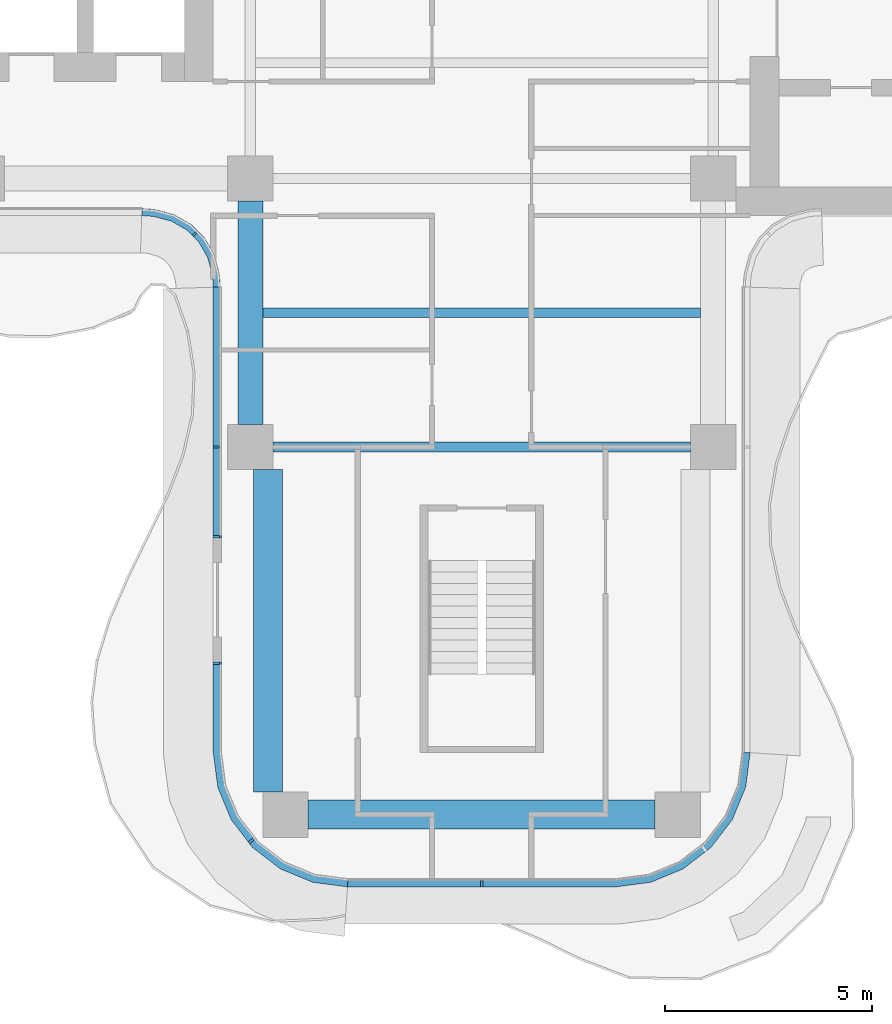
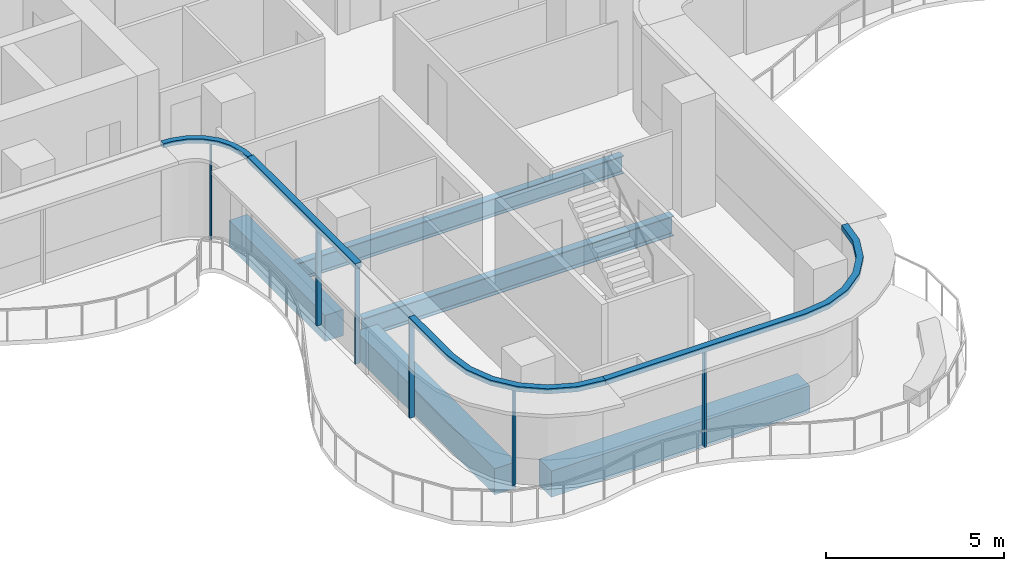
# One storey, part 2 of 16: 10 members, 5 beams, 4 elements without a shape of their own.
"""IFC4 building model written with IfcOpenShell, lengths in metres."""

import ifcopenshell
import ifcopenshell.guid

model = None  # the IFC model being written
_history = None  # IfcOwnerHistory: only IFC2X3 demands one
_inside = {}  # id of a spatial element -> (the spatial element, [elements in it])
_under = {}  # id of a project, library or spatial element -> (it, [spatial elements below it])
_declared = {}  # id of a project -> (the project, [libraries it declares])
_typed = {}  # id of a type object -> (the type object, [elements of that type])
_made_of = {}  # id of a material, layer set ... -> (it, [elements and type objects made of it])


def new_model(schema):
    """Start an empty IFC model of exactly this schema.

    Asked for "IFC4X3", IfcOpenShell would pick the latest addendum, in which some entities
    have other attributes; the version numbers below select the first issue.
    IFC2X3 requires an IfcOwnerHistory on every rooted entity: one is made here for all.
    """
    global model, _history
    if schema == "IFC4X3":
        model = ifcopenshell.file(schema_version=(4, 3, 0, 0))
    else:
        model = ifcopenshell.file(schema=schema)
    _inside.clear()
    _under.clear()
    _declared.clear()
    _typed.clear()
    _made_of.clear()
    _history = None
    if model.schema == "IFC2X3":
        org = make("IfcOrganization", Name="unknown")
        user = make(
            "IfcPersonAndOrganization",
            ThePerson=make("IfcPerson", FamilyName="unknown"),
            TheOrganization=org,
        )
        app = make(
            "IfcApplication",
            ApplicationDeveloper=org,
            Version="unknown",
            ApplicationFullName="unknown",
            ApplicationIdentifier="unknown",
        )
        _history = make(
            "IfcOwnerHistory",
            OwningUser=user,
            OwningApplication=app,
            ChangeAction="ADDED",
            CreationDate=0,
        )
    return model


def make(cls, **values):
    """One entity of the class cls with the attributes given. An attribute that is None is left unset."""
    return model.create_entity(
        cls, **{name: value for name, value in values.items() if value is not None}
    )


def rooted(cls, **values):
    """An entity with a GlobalId (a new one), such as an element, a storey or a relation."""
    return make(cls, GlobalId=ifcopenshell.guid.new(), OwnerHistory=_history, **values)


def si_unit(unit_type, name, prefix=None):
    """IfcSIUnit, for example si_unit("LENGTHUNIT", "METRE", prefix="MILLI")."""
    return make("IfcSIUnit", UnitType=unit_type, Prefix=prefix, Name=name)


def assignment(units):
    """IfcUnitAssignment: the units of a project."""
    return None if units is None else make("IfcUnitAssignment", Units=units)


def point(xyz):
    """IfcCartesianPoint."""
    return None if xyz is None else make("IfcCartesianPoint", Coordinates=xyz)


def direction(xyz):
    """IfcDirection."""
    return None if xyz is None else make("IfcDirection", DirectionRatios=xyz)


def frame(location, z_axis=None, x_axis=None):
    """IfcAxis2Placement3D, a coordinate frame: its origin and axes. An axis left out is left unset."""
    return make(
        "IfcAxis2Placement3D",
        Location=point(location),
        Axis=direction(z_axis),
        RefDirection=direction(x_axis),
    )


def frame_2d(location, x_axis=None):
    """IfcAxis2Placement2D, a coordinate frame in the plane: its origin and x axis."""
    return make(
        "IfcAxis2Placement2D", Location=point(location), RefDirection=direction(x_axis)
    )


def origin():
    """The frame at (0, 0, 0) with its axes left unset."""
    return frame((0.0, 0.0, 0.0))


def origin_2d():
    """The frame at (0, 0) in the plane with its x axis left unset."""
    return frame_2d((0.0, 0.0))


def place(relative_to, where):
    """IfcLocalPlacement: puts the frame where relative to a parent placement (None: the world)."""
    return make(
        "IfcLocalPlacement", PlacementRelTo=relative_to, RelativePlacement=where
    )


def context(
    kind, dimensions, precision=None, world=None, true_north=None, identifier=None
):
    """IfcGeometricRepresentationContext, for example the 3D "Model" context."""
    return make(
        "IfcGeometricRepresentationContext",
        ContextIdentifier=identifier,
        ContextType=kind,
        CoordinateSpaceDimension=dimensions,
        Precision=precision,
        WorldCoordinateSystem=world,
        TrueNorth=true_north,
    )


def subcontext(parent, identifier, kind, view, scale=None):
    """IfcGeometricRepresentationSubContext, for example "Body" below "Model"."""
    return make(
        "IfcGeometricRepresentationSubContext",
        ContextIdentifier=identifier,
        ContextType=kind,
        ParentContext=parent,
        TargetScale=scale,
        TargetView=view,
    )


def project(units=None, contexts=None):
    """IfcProject with its units and contexts."""
    return rooted(
        "IfcProject",
        Name="project",
        RepresentationContexts=contexts,
        UnitsInContext=assignment(units),
    )


def spatial(cls, under=None, at=None, **own):
    """A site, building, storey or space (cls), placed at a placement, below another one or the project."""
    s = rooted(cls, ObjectPlacement=at, **own)
    if under is not None:
        _under.setdefault(under.id(), (under, []))[1].append(s)
    return s


def polyline(points):
    """IfcPolyline through the points."""
    return make("IfcPolyline", Points=[point(p) for p in points])


def profile(cls, at=None, kind="AREA", **sizes):
    """A parametric profile (cls). Its sizes go by their IFC names, for example OverallWidth=200.0."""
    return make(cls, ProfileType=kind, Position=at, **sizes)


def rectangle(**sizes):
    """IfcRectangleProfileDef."""
    return profile("IfcRectangleProfileDef", **sizes)


def i_section(**sizes):
    """IfcIShapeProfileDef."""
    return profile("IfcIShapeProfileDef", **sizes)


def outline(outer, holes=None, kind="AREA"):
    """IfcArbitraryClosedProfileDef: a profile drawn as a closed curve; with holes, ...WithVoids."""
    if holes is None:
        return make("IfcArbitraryClosedProfileDef", ProfileType=kind, OuterCurve=outer)
    return make(
        "IfcArbitraryProfileDefWithVoids",
        ProfileType=kind,
        OuterCurve=outer,
        InnerCurves=holes,
    )


def extrude(swept, where, along, depth):
    """IfcExtrudedAreaSolid: the profile swept, set in the frame where, extruded along a direction by depth."""
    return make(
        "IfcExtrudedAreaSolid",
        SweptArea=swept,
        Position=where,
        ExtrudedDirection=direction(along),
        Depth=depth,
    )


def shape(context_of_items, identifier, shape_type, items):
    """IfcShapeRepresentation: the items that make up one representation, for example the "Body"."""
    return make(
        "IfcShapeRepresentation",
        ContextOfItems=context_of_items,
        RepresentationIdentifier=identifier,
        RepresentationType=shape_type,
        Items=items,
    )


def source(mapping_origin, context_of_items, identifier, shape_type, items):
    """IfcRepresentationMap: a shape defined once, which mapped items show again and again."""
    return make(
        "IfcRepresentationMap",
        MappingOrigin=mapping_origin,
        MappedRepresentation=shape(context_of_items, identifier, shape_type, items),
    )


def transform(
    local_origin,
    x_axis=None,
    y_axis=None,
    z_axis=None,
    scale=None,
    scale2=None,
    scale3=None,
    uniform=True,
):
    """IfcCartesianTransformationOperator3D, or its non-uniform kind. x_axis, y_axis, z_axis: its Axis1, 2, 3."""
    if uniform:
        return make(
            "IfcCartesianTransformationOperator3D",
            Axis1=direction(x_axis),
            Axis2=direction(y_axis),
            LocalOrigin=point(local_origin),
            Scale=scale,
            Axis3=direction(z_axis),
        )
    return make(
        "IfcCartesianTransformationOperator3DnonUniform",
        Axis1=direction(x_axis),
        Axis2=direction(y_axis),
        LocalOrigin=point(local_origin),
        Scale=scale,
        Axis3=direction(z_axis),
        Scale2=scale2,
        Scale3=scale3,
    )


def mapped(mapping_source, mapping_target):
    """IfcMappedItem: shows the shape of a source again, moved by a transform."""
    return make(
        "IfcMappedItem", MappingSource=mapping_source, MappingTarget=mapping_target
    )


def material(Name=None, Category=None):
    """IfcMaterial."""
    return make("IfcMaterial", Name=Name, Category=Category)


def layer(
    of_material, thickness, ventilated=None, Name=None, Category=None, Priority=None
):
    """IfcMaterialLayer: one layer of a wall or slab, of a material (None: an air gap)."""
    return make(
        "IfcMaterialLayer",
        Material=of_material,
        LayerThickness=thickness,
        IsVentilated=ventilated,
        Name=Name,
        Category=Category,
        Priority=Priority,
    )


def layer_set(layers, Name=None):
    """IfcMaterialLayerSet."""
    return make("IfcMaterialLayerSet", MaterialLayers=layers, LayerSetName=Name)


def material_profile(
    of_material, cross_section, Name=None, Category=None, Priority=None
):
    """IfcMaterialProfile: a cross section and its material."""
    return make(
        "IfcMaterialProfile",
        Name=Name,
        Material=of_material,
        Profile=cross_section,
        Priority=Priority,
        Category=Category,
    )


def profile_set(profiles, Name=None, composite=None):
    """IfcMaterialProfileSet."""
    return make(
        "IfcMaterialProfileSet",
        Name=Name,
        MaterialProfiles=profiles,
        CompositeProfile=composite,
    )


def made_of(thing, what):
    """Note that an element or type object is made of a material, layer set ...; save() writes the relation."""
    if what is not None:
        _made_of.setdefault(what.id(), (what, []))[1].append(thing)
    return thing


def type_object(cls, material=None, **own):
    """A type object (cls), such as IfcWallType, which elements share."""
    return made_of(rooted(cls, **own), material)


def element(
    cls,
    number,
    at=None,
    inside=None,
    cuts=None,
    type_object=None,
    material=None,
    context=None,
    identifier="Body",
    shape_type=None,
    held_by="IfcProductDefinitionShape",
    body=None,
    shapes=None,
    **own,
):
    """One element of the class cls, such as IfcWall. Its Tag is "e" and its number.

    at: its placement. inside: the storey or other place that contains it. cuts: it is an
    opening in that element (IfcRelVoidsElement). A single representation is given by context,
    identifier, shape_type and body (its items); several are given by shapes. held_by: the class
    of the entity that holds the representations. save() writes the other relations.
    """
    e = rooted(cls, Tag="e%d" % number, ObjectPlacement=at, **own)
    if body is not None:
        shapes = [shape(context, identifier, shape_type, body)]
    if shapes is not None:
        e.Representation = make(held_by, Representations=shapes)
    if inside is not None:
        _inside.setdefault(inside.id(), (inside, []))[1].append(e)
    if cuts is not None:
        rooted(
            "IfcRelVoidsElement", RelatingBuildingElement=cuts, RelatedOpeningElement=e
        )
    if type_object is not None:
        _typed.setdefault(type_object.id(), (type_object, []))[1].append(e)
    return made_of(e, material)


def aggregate(whole, parts):
    """IfcRelAggregates: a whole, such as a stair, and the parts it consists of."""
    return rooted("IfcRelAggregates", RelatingObject=whole, RelatedObjects=parts)


def save(model, path):
    """Write the relations noted so far, then the file.

    IfcRelAggregates (storeys below a building ...), IfcRelContainedInSpatialStructure (elements
    in a storey), IfcRelDefinesByType, IfcRelAssociatesMaterial and IfcRelDeclares: one each for
    every whole, place, type object, material and project.
    """
    for whole, parts in _under.values():
        aggregate(whole, parts)
    for where, things in _inside.values():
        rooted(
            "IfcRelContainedInSpatialStructure",
            RelatedElements=things,
            RelatingStructure=where,
        )
    for kind, things in _typed.values():
        rooted("IfcRelDefinesByType", RelatedObjects=things, RelatingType=kind)
    for what, things in _made_of.values():
        rooted("IfcRelAssociatesMaterial", RelatedObjects=things, RelatingMaterial=what)
    for by, libraries in _declared.values():
        rooted("IfcRelDeclares", RelatingContext=by, RelatedDefinitions=libraries)
    model.write(path)


model = new_model("IFC4")

# Units and contexts
model_context = context("Model", 3, precision=1e-05, world=origin(), true_north=direction((0.0, 1.0)))
body_context = subcontext(model_context, "Body", "Model", "MODEL_VIEW")
ifc_project = project(units=[si_unit("LENGTHUNIT", "METRE"), si_unit("AREAUNIT", "SQUARE_METRE"), si_unit("VOLUMEUNIT", "CUBIC_METRE"), si_unit("PLANEANGLEUNIT", "RADIAN"), si_unit("MASSUNIT", "GRAM", prefix="KILO")], contexts=[model_context])

# Site, building, storey
site_placement = place(None, origin())
site = spatial("IfcSite", under=ifc_project, at=site_placement, CompositionType="ELEMENT")
building_placement = place(site_placement, origin())
building = spatial("IfcBuilding", under=site, at=building_placement, Name="Trellis Farm Tower", CompositionType="ELEMENT")
storey_placement = place(building_placement, frame((0.0, 0.0, 267.5)))
storey = spatial("IfcBuildingStorey", under=building, at=storey_placement, Name="L60", CompositionType="ELEMENT", Elevation=267.5)

# Beams
ifc_material_1 = material(Name="Steel S355", Category="steel")
ifc_material_profile_1 = material_profile(ifc_material_1, i_section(OverallWidth=0.22900390625, OverallDepth=0.6123046875, WebThickness=0.011962890625, FlangeThickness=0.01953125, FilletRadius=0.0126953125, at=origin_2d()), Name="UB 610x229x125")
ifc_profile_set_1 = profile_set([ifc_material_profile_1], Name="Steel S355")
beam_type_1 = type_object("IfcBeamType", Name="UB 610x229x125 joist", PredefinedType="JOIST", material=ifc_profile_set_1)
shared_shape_1 = source(origin(), body_context, "Body", "SweptSolid", [
    extrude(i_section(OverallWidth=0.22900390625, OverallDepth=0.6123046875, WebThickness=0.011962890625, FlangeThickness=0.01953125, FilletRadius=0.0126953125, at=origin_2d()), origin(), (0.0, 0.0, 1.0), 10.60009765625),
])
beam_1_placement = place(storey_placement, frame((-5.300048828125, -8.85009765625, -0.506103515625), z_axis=(1.0, 0.0, 0.0), x_axis=(0.0, 1.0, 0.0)))
element("IfcBeam", 1, at=beam_1_placement, inside=storey, type_object=beam_type_1, Name="Floor beam", PredefinedType="JOIST", context=body_context, shape_type="MappedRepresentation", body=[
    mapped(shared_shape_1, transform((0.0, 0.0, 0.0))),
])
ifc_material_profile_2 = material_profile(ifc_material_1, i_section(OverallWidth=0.253662109375, OverallDepth=0.68359375, WebThickness=0.012451171875, FlangeThickness=0.021728515625, FilletRadius=0.01513671875, at=origin_2d()), Name="UB 686x254x140")
ifc_profile_set_2 = profile_set([ifc_material_profile_2], Name="Steel S355")
beam_type_2 = type_object("IfcBeamType", Name="UB 686x254x140", PredefinedType="BEAM", material=ifc_profile_set_2)
shared_shape_2 = source(origin(), body_context, "Body", "SweptSolid", [
    extrude(i_section(OverallWidth=0.253662109375, OverallDepth=0.68359375, WebThickness=0.012451171875, FlangeThickness=0.021728515625, FilletRadius=0.01513671875, at=origin_2d()), origin(), (0.0, 0.0, 1.0), 10.10009765625),
])
beam_2_placement = place(storey_placement, frame((-5.050048828125, -12.10009765625, -0.541748046875), z_axis=(1.0, 0.0, 0.0), x_axis=(0.0, 1.0, 0.0)))
element("IfcBeam", 2, at=beam_2_placement, inside=storey, type_object=beam_type_2, Name="Girder", PredefinedType="BEAM", context=body_context, shape_type="MappedRepresentation", body=[
    mapped(shared_shape_2, transform((0.0, 0.0, 0.0))),
])
ifc_material_2 = material(Name="Concrete C60/75", Category="concrete")
ifc_material_profile_3 = material_profile(ifc_material_2, rectangle(XDim=0.60009765625, YDim=0.89990234375, at=origin_2d()), Name="RC spandrel beam 600x900 C60/75")
ifc_profile_set_3 = profile_set([ifc_material_profile_3], Name="Concrete C60/75")
beam_type_3 = type_object("IfcBeamType", Name="RC spandrel beam 600x900 C60/75", PredefinedType="SPANDREL", material=ifc_profile_set_3)
shared_shape_3 = source(origin(), body_context, "Body", "SweptSolid", [
    extrude(rectangle(XDim=0.60009765625, YDim=0.89990234375, at=origin_2d()), origin(), (0.0, 0.0, 1.0), 5.400146484375),
])
beam_3_placement = place(storey_placement, frame((-5.60009765625, -11.550048828125, -0.64990234375), z_axis=(0.0, 1.0, 0.0), x_axis=(-1.0, 0.0, 0.0)))
element("IfcBeam", 3, at=beam_3_placement, inside=storey, type_object=beam_type_3, Name="Girder", PredefinedType="SPANDREL", context=body_context, shape_type="MappedRepresentation", body=[
    mapped(shared_shape_3, transform((0.0, 0.0, 0.0))),
])
ifc_material_profile_4 = material_profile(ifc_material_2, rectangle(XDim=0.699951171875, YDim=0.89990234375, at=origin_2d()), Name="RC spandrel beam 700x900 C60/75")
ifc_profile_set_4 = profile_set([ifc_material_profile_4], Name="Concrete C60/75")
beam_type_4 = type_object("IfcBeamType", Name="RC spandrel beam 700x900 C60/75", PredefinedType="SPANDREL", material=ifc_profile_set_4)
shared_shape_4 = source(origin(), body_context, "Body", "SweptSolid", [
    extrude(rectangle(XDim=0.699951171875, YDim=0.89990234375, at=origin_2d()), origin(), (0.0, 0.0, 1.0), 8.39990234375),
])
beam_4_placement = place(storey_placement, frame((-4.199951171875, -21.0, -0.64990234375), z_axis=(1.0, 0.0, 0.0), x_axis=(0.0, 1.0, 0.0)))
element("IfcBeam", 4, at=beam_4_placement, inside=storey, type_object=beam_type_4, Name="Girder", PredefinedType="SPANDREL", context=body_context, shape_type="MappedRepresentation", body=[
    mapped(shared_shape_4, transform((0.0, 0.0, 0.0))),
])
shared_shape_5 = source(origin(), body_context, "Body", "SweptSolid", [
    extrude(rectangle(XDim=0.699951171875, YDim=0.89990234375, at=origin_2d()), origin(), (0.0, 0.0, 1.0), 7.800048828125),
])
beam_5_placement = place(storey_placement, frame((-5.175048828125, -20.449951171875, -0.64990234375), z_axis=(0.0, 1.0, 0.0), x_axis=(-1.0, 0.0, 0.0)))
element("IfcBeam", 5, at=beam_5_placement, inside=storey, type_object=beam_type_4, Name="Girder", PredefinedType="SPANDREL", context=body_context, shape_type="MappedRepresentation", body=[
    mapped(shared_shape_5, transform((0.0, 0.0, 0.0))),
])

# Curtain wall, member
ifc_material_3 = material(Name="Aluminium and glass curtain wall", Category="aluminium")
ifc_layer_1 = layer(ifc_material_3, 0.166015625)
ifc_layer_set_1 = layer_set([ifc_layer_1], Name="WINTER GARDEN CURTAIN WALL CW3")
curtain_wall_type_1 = type_object("IfcCurtainWallType", Name="WINTER GARDEN CURTAIN WALL CW3", PredefinedType="NOTDEFINED", material=ifc_layer_set_1)
placement_1 = place(storey_placement, origin())
curtain_wall_1 = element("IfcCurtainWall", 6, at=placement_1, inside=storey, type_object=curtain_wall_type_1, Name="CW3 001", PredefinedType="NOTDEFINED")
ifc_material_4 = material(Name="Aluminium extrusion 6063-T6", Category="aluminium")
ifc_layer_2 = layer(ifc_material_4, 0.169921875)
ifc_layer_set_2 = layer_set([ifc_layer_2], Name="Aluminium extrusion 6063-T6")
member_type_1 = type_object("IfcMemberType", Name="CW3 TRANSOM 170x150", PredefinedType="USERDEFINED", material=ifc_layer_set_2)
shared_shape_6 = source(origin(), body_context, "Body", "SweptSolid", [
    extrude(outline(polyline([(-8.2314453125, -6.5), (-8.01953125, -6.513916015625), (-7.91552734375, -6.527587890625), (-7.508544921875, -6.63671875), (-7.144287109375, -6.846923828125), (-6.846923828125, -7.144287109375), (-6.63671875, -7.508544921875), (-6.527587890625, -7.91552734375), (-6.513916015625, -8.01953125), (-6.5, -8.2314453125), (-6.330078125, -8.225830078125), (-6.3447265625, -8.0029296875), (-6.360595703125, -7.88232421875), (-6.478271484375, -7.44287109375), (-6.7109375, -7.0400390625), (-7.0400390625, -6.7109375), (-7.44287109375, -6.478271484375), (-7.88232421875, -6.360595703125), (-8.0029296875, -6.3447265625), (-8.225830078125, -6.330078125), (-8.2314453125, -6.5)])), origin(), (0.0, 0.0, 1.0), 0.14990234375),
])
member_1_placement = place(storey_placement, frame((0.0, 0.0, 3.300048828125)))
member_1 = element("IfcMember", 7, at=member_1_placement, type_object=member_type_1, Name="TR3 001", ObjectType="TRANSOM", PredefinedType="USERDEFINED", context=body_context, shape_type="MappedRepresentation", body=[
    mapped(shared_shape_6, transform((0.0, 0.0, 0.0))),
])

# Curtain wall, members
ifc_layer_3 = layer(ifc_material_3, 0.18994140625)
ifc_layer_set_3 = layer_set([ifc_layer_3], Name="RIBBON CURTAIN WALL CW1")
curtain_wall_type_2 = type_object("IfcCurtainWallType", Name="RIBBON CURTAIN WALL CW1", PredefinedType="NOTDEFINED", material=ifc_layer_set_3)
curtain_wall_2 = element("IfcCurtainWall", 8, at=placement_1, inside=storey, type_object=curtain_wall_type_2, Name="CW1 002", PredefinedType="NOTDEFINED")
ifc_material_profile_5 = material_profile(ifc_material_4, rectangle(XDim=0.06005859375, YDim=0.14990234375, at=origin_2d()), Name="MULLION 60x150")
ifc_profile_set_5 = profile_set([ifc_material_profile_5], Name="Aluminium extrusion 6063-T6")
member_type_2 = type_object("IfcMemberType", Name="CW1 MULLION 60x150", PredefinedType="MULLION", material=ifc_profile_set_5)
shared_shape_7 = source(origin(), body_context, "Body", "SweptSolid", [
    extrude(rectangle(XDim=0.06005859375, YDim=0.14990234375, at=origin_2d()), origin(), (0.0, 0.0, 1.0), 3.27001953125),
])
member_2_placement = place(storey_placement, frame((-6.425048828125, -12.10009765625, 0.0), z_axis=(0.0, 0.0, 1.0), x_axis=(0.0, -1.0, 0.0)))
member_2 = element("IfcMember", 9, at=member_2_placement, type_object=member_type_2, Name="MU1 002-01", PredefinedType="MULLION", context=body_context, shape_type="MappedRepresentation", body=[
    mapped(shared_shape_7, transform((0.0, 0.0, 0.0))),
])
member_3_placement = place(storey_placement, frame((-6.425048828125, -14.27001953125, 0.0), z_axis=(0.0, 0.0, 1.0), x_axis=(0.0, -1.0, 0.0)))
member_3 = element("IfcMember", 10, at=member_3_placement, type_object=member_type_2, Name="MU1 002-02", PredefinedType="MULLION", context=body_context, shape_type="MappedRepresentation", body=[
    mapped(shared_shape_7, transform((0.0, 0.0, 0.0))),
])

curtain_wall_3 = element("IfcCurtainWall", 11, at=placement_1, inside=storey, type_object=curtain_wall_type_2, Name="CW1 003", PredefinedType="NOTDEFINED")
member_4_placement = place(storey_placement, frame((-6.425048828125, -17.330078125, 0.0), z_axis=(0.0, 0.0, 1.0), x_axis=(0.0, -1.0, 0.0)))
member_4 = element("IfcMember", 12, at=member_4_placement, type_object=member_type_2, Name="MU1 003-01", PredefinedType="MULLION", context=body_context, shape_type="MappedRepresentation", body=[
    mapped(shared_shape_7, transform((0.0, 0.0, 0.0))),
])
member_5_placement = place(storey_placement, frame((-5.578369140625, -21.635498046875, 0.0), z_axis=(0.0, 0.0, 1.0), x_axis=(0.608761429009, -0.793353340291, 0.0)))
member_5 = element("IfcMember", 13, at=member_5_placement, type_object=member_type_2, Name="MU1 003-02", PredefinedType="MULLION", context=body_context, shape_type="MappedRepresentation", body=[
    mapped(shared_shape_7, transform((0.0, 0.0, 0.0))),
])

# Curtain wall, member
curtain_wall_4 = element("IfcCurtainWall", 14, at=placement_1, inside=storey, type_object=curtain_wall_type_2, Name="CW1 004", PredefinedType="NOTDEFINED")
member_6_placement = place(storey_placement, frame((0.0, -22.675048828125, 0.0), z_axis=(0.0, 0.0, 1.0), x_axis=(1.0, 0.0, 0.0)))
member_6 = element("IfcMember", 15, at=member_6_placement, type_object=member_type_2, Name="MU1 004-01", PredefinedType="MULLION", context=body_context, shape_type="MappedRepresentation", body=[
    mapped(shared_shape_7, transform((0.0, 0.0, 0.0))),
])

# Member
ifc_material_profile_6 = material_profile(ifc_material_4, rectangle(XDim=0.050048828125, YDim=0.1201171875, at=origin_2d()), Name="MULLION 50x120")
ifc_profile_set_6 = profile_set([ifc_material_profile_6], Name="Aluminium extrusion 6063-T6")
member_type_3 = type_object("IfcMemberType", Name="CW3 MULLION 50x120", PredefinedType="MULLION", material=ifc_profile_set_6)
shared_shape_8 = source(origin(), body_context, "Body", "SweptSolid", [
    extrude(rectangle(XDim=0.050048828125, YDim=0.1201171875, at=origin_2d()), origin(), (0.0, 0.0, 1.0), 3.300048828125),
])
member_7_placement = place(storey_placement, frame((-6.953125, -6.953125, 0.0), z_axis=(0.0, 0.0, 1.0), x_axis=(0.707106781187, -0.707106781187, 0.0)))
member_7 = element("IfcMember", 16, at=member_7_placement, type_object=member_type_3, Name="MU3 001-01", PredefinedType="MULLION", context=body_context, shape_type="MappedRepresentation", body=[
    mapped(shared_shape_8, transform((0.0, 0.0, 0.0))),
])

aggregate(curtain_wall_1, [member_7, member_1])

ifc_layer_4 = layer(ifc_material_4, 0.199951171875)
ifc_layer_set_4 = layer_set([ifc_layer_4], Name="Aluminium extrusion 6063-T6")
member_type_4 = type_object("IfcMemberType", Name="CW1 TRANSOM 200x180", PredefinedType="USERDEFINED", material=ifc_layer_set_4)
shared_shape_9 = source(origin(), body_context, "Body", "SweptSolid", [
    extrude(outline(polyline([(-3.25, -22.75), (3.25, -22.75), (4.091064453125, -22.63916015625), (4.875, -22.314697265625), (5.548095703125, -21.798095703125), (6.064697265625, -21.125), (6.38916015625, -20.341064453125), (6.5, -19.5), (6.300048828125, -19.48681640625), (6.1943359375, -20.2890625), (5.889892578125, -21.024169921875), (5.405517578125, -21.655517578125), (4.774169921875, -22.139892578125), (4.0390625, -22.4443359375), (3.23681640625, -22.550048828125), (-3.23681640625, -22.550048828125), (-3.25, -22.75)])), origin(), (0.0, 0.0, 1.0), 0.179931640625),
])
placement_2 = place(storey_placement, frame((0.0, 0.0, 3.27001953125)))
member_8 = element("IfcMember", 17, at=placement_2, type_object=member_type_4, Name="TR1 004", ObjectType="TRANSOM", PredefinedType="USERDEFINED", context=body_context, shape_type="MappedRepresentation", body=[
    mapped(shared_shape_9, transform((0.0, 0.0, 0.0))),
])

aggregate(curtain_wall_4, [member_6, member_8])

shared_shape_10 = source(origin(), body_context, "Body", "SweptSolid", [
    extrude(outline(polyline([(-6.5, -8.2314453125), (-6.5, -14.300048828125), (-6.300048828125, -14.300048828125), (-6.300048828125, -8.224853515625), (-6.5, -8.2314453125)])), origin(), (0.0, 0.0, 1.0), 0.179931640625),
])
member_9 = element("IfcMember", 18, at=placement_2, type_object=member_type_4, Name="TR1 002", ObjectType="TRANSOM", PredefinedType="USERDEFINED", context=body_context, shape_type="MappedRepresentation", body=[
    mapped(shared_shape_10, transform((0.0, 0.0, 0.0))),
])

aggregate(curtain_wall_2, [member_2, member_3, member_9])

shared_shape_11 = source(origin(), body_context, "Body", "SweptSolid", [
    extrude(outline(polyline([(-6.5, -17.300048828125), (-6.5, -19.5), (-6.38916015625, -20.341064453125), (-6.064697265625, -21.125), (-5.548095703125, -21.798095703125), (-4.875, -22.314697265625), (-4.091064453125, -22.63916015625), (-3.25, -22.75), (-3.23681640625, -22.550048828125), (-4.0390625, -22.4443359375), (-4.774169921875, -22.139892578125), (-5.405517578125, -21.655517578125), (-5.889892578125, -21.024169921875), (-6.1943359375, -20.2890625), (-6.300048828125, -19.48681640625), (-6.300048828125, -17.300048828125), (-6.5, -17.300048828125)])), origin(), (0.0, 0.0, 1.0), 0.179931640625),
])
member_10 = element("IfcMember", 19, at=placement_2, type_object=member_type_4, Name="TR1 003", ObjectType="TRANSOM", PredefinedType="USERDEFINED", context=body_context, shape_type="MappedRepresentation", body=[
    mapped(shared_shape_11, transform((0.0, 0.0, 0.0))),
])

aggregate(curtain_wall_3, [member_4, member_5, member_10])

save(model, "model.ifc")
